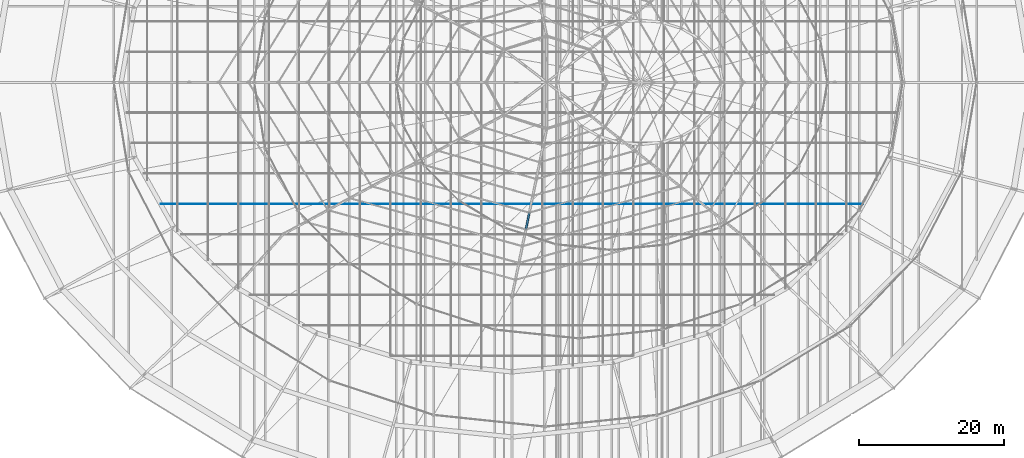
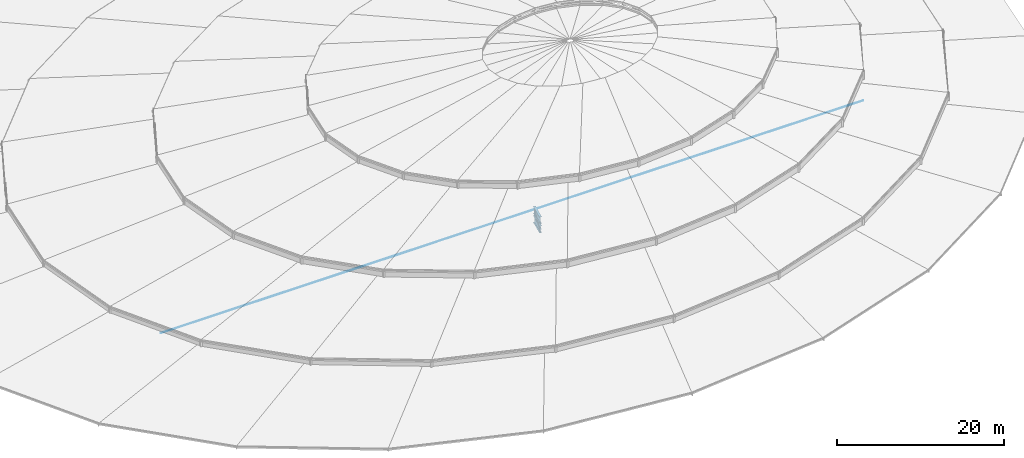
# One storey, part 47 of 184: 2 beams, 2 members.
"""IFC4 building model written with IfcOpenShell, lengths in metres."""

from ifc_helpers import new_model, si_unit, direction, frame, origin, origin_2d, place, context, subcontext, project, spatial, hollow_rectangle, circle, i_section, extrude, material, material_profile, profile_set, type_object, element, save


model = new_model("IFC4")

# Units and contexts
model_context = context("Model", 3, precision=1e-05, world=origin(), true_north=direction((0.0, 1.0)))
body_context = subcontext(model_context, "Body", "Model", "MODEL_VIEW")
ifc_project = project(units=[si_unit("LENGTHUNIT", "METRE"), si_unit("AREAUNIT", "SQUARE_METRE"), si_unit("VOLUMEUNIT", "CUBIC_METRE"), si_unit("PLANEANGLEUNIT", "RADIAN"), si_unit("MASSUNIT", "GRAM", prefix="KILO")], contexts=[model_context])

# Site, building, storey
site_placement = place(None, origin())
site = spatial("IfcSite", under=ifc_project, at=site_placement, CompositionType="ELEMENT")
building_placement = place(site_placement, origin())
building = spatial("IfcBuilding", under=site, at=building_placement, Name="Kalgoora Escarpment Arena", CompositionType="ELEMENT")
storey_placement = place(building_placement, frame((0.0, 0.0, 27.60009765625)))
storey = spatial("IfcBuildingStorey", under=building, at=storey_placement, Name="Roof Level", CompositionType="ELEMENT", Elevation=27.60009765625)

# Beams
ifc_material_1 = material(Name="Structural steel Grade 350 (350 MPa)", Category="steel")
ifc_material_profile_1 = material_profile(ifc_material_1, i_section(OverallWidth=0.300048828125, OverallDepth=1.010009765625, WebThickness=0.01611328125, FlangeThickness=0.030029296875, at=origin_2d()))
ifc_profile_set_1 = profile_set([ifc_material_profile_1], Name="Structural steel Grade 350 (350 MPa)")
beam_type = type_object("IfcBeamType", Name="BM-TRUSS-CHORD", PredefinedType="USERDEFINED", material=ifc_profile_set_1)
for number, where, z_axis, x_axis, name in (
    (1, (94.317626953125, 43.668212890625, -1.630126953125), (0.202605139089, 0.979258172266, 0.002142350413), (-0.979260419507, 0.202605604036, 0.0), "Radial ROOF TRUSS spine 7 bottom chord 6"),
    (2, (94.317626953125, 43.668212890625, -0.31005859375), (0.202603831774, 0.979251853575, 0.004182657151), (-0.979260419507, 0.202605604036, 0.0), "Radial ROOF TRUSS spine 7 top chord 6"),
):
    element("IfcBeam", number, at=place(storey_placement, frame(where, z_axis=z_axis, x_axis=x_axis)), inside=storey, type_object=beam_type, Name=name, ObjectType="GIRDER", PredefinedType="USERDEFINED", context=body_context, shape_type="SweptSolid", body=[
        extrude(i_section(OverallWidth=0.300048828125, OverallDepth=1.010009765625, WebThickness=0.01611328125, FlangeThickness=0.030029296875, at=origin_2d()), origin(), (0.0, 0.0, 1.0), 2.39306640625),
    ])

# Members
ifc_material_2 = material(Name="High-tensile spiral strand steel Grade 450 (350 MPa)", Category="steel")
ifc_material_profile_2 = material_profile(ifc_material_2, circle(Radius=0.035888671875, at=origin_2d()))
ifc_profile_set_2 = profile_set([ifc_material_profile_2], Name="High-tensile spiral strand steel Grade 450 (350 MPa)")
member_type_1 = type_object("IfcMemberType", Name="MEM-CABLE-72", PredefinedType="USERDEFINED", material=ifc_profile_set_2)
member_1_placement = place(storey_placement, frame((43.84521484375, 47.199951171875, -1.25), z_axis=(1.0, 0.0, 0.0), x_axis=(0.0, 1.0, 0.0)))
element("IfcMember", 3, at=member_1_placement, inside=storey, type_object=member_type_1, Name="Roof saddle hanging cable X-06", ObjectType="CABLE", PredefinedType="USERDEFINED", context=body_context, shape_type="SweptSolid", body=[
    extrude(circle(Radius=0.035888671875, at=origin_2d()), origin(), (0.0, 0.0, 1.0), 97.109619140625),
])
ifc_material_3 = material(Name="Structural steel C350 (350 MPa)", Category="steel")
ifc_material_profile_3 = material_profile(ifc_material_3, hollow_rectangle(XDim=0.199951171875, YDim=0.199951171875, WallThickness=0.009033203125, at=origin_2d()))
ifc_profile_set_3 = profile_set([ifc_material_profile_3], Name="Structural steel C350 (350 MPa)")
member_type_2 = type_object("IfcMemberType", Name="MEM-TRUSS-DIAG", PredefinedType="BRACE", material=ifc_profile_set_3)
member_2_placement = place(storey_placement, frame((94.320068359375, 43.679931640625, -1.630126953125), z_axis=(0.176656848237, 0.853901337127, 0.489535355642), x_axis=(-0.236666194374, -0.445915574129, 0.863219794253)))
element("IfcMember", 4, at=member_2_placement, inside=storey, type_object=member_type_2, Name="Radial ROOF TRUSS spine 7 web diagonal 6", PredefinedType="BRACE", context=body_context, shape_type="SweptSolid", body=[
    extrude(hollow_rectangle(XDim=0.199951171875, YDim=0.199951171875, WallThickness=0.009033203125, at=origin_2d()), origin(), (0.0, 0.0, 1.0), 2.717041015625),
])

save(model, "model.ifc")
